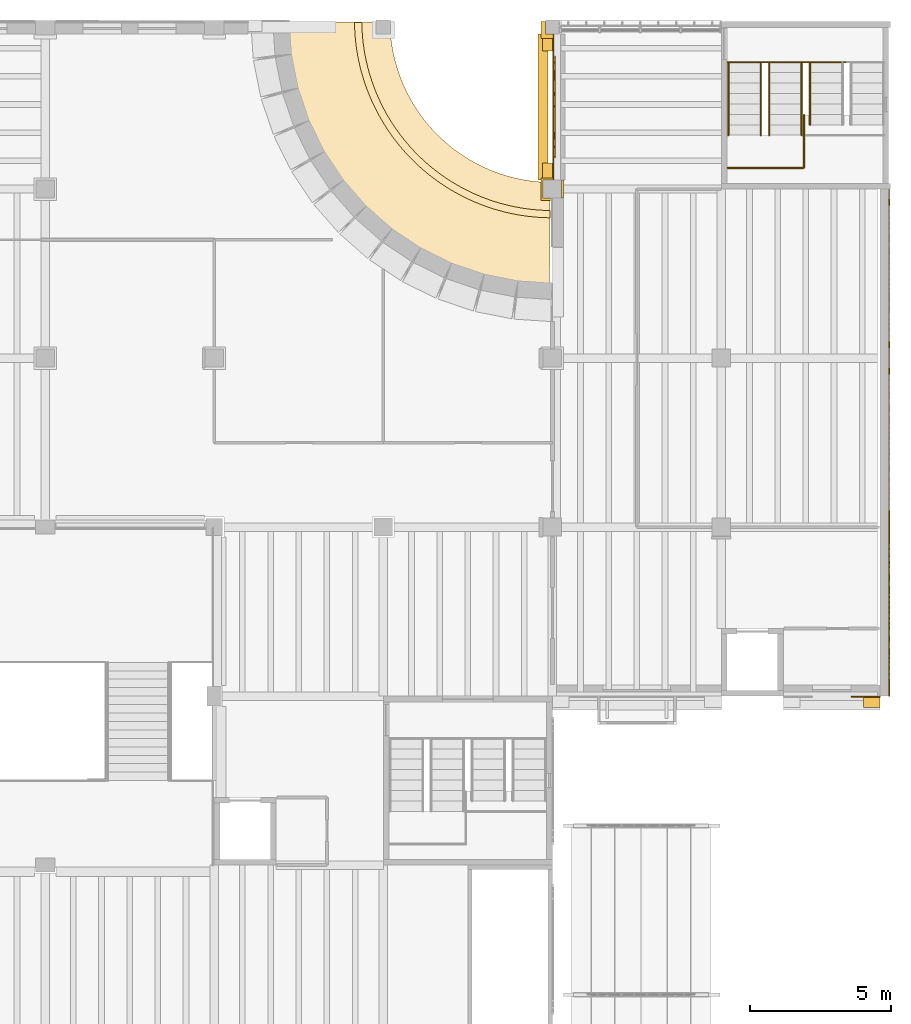
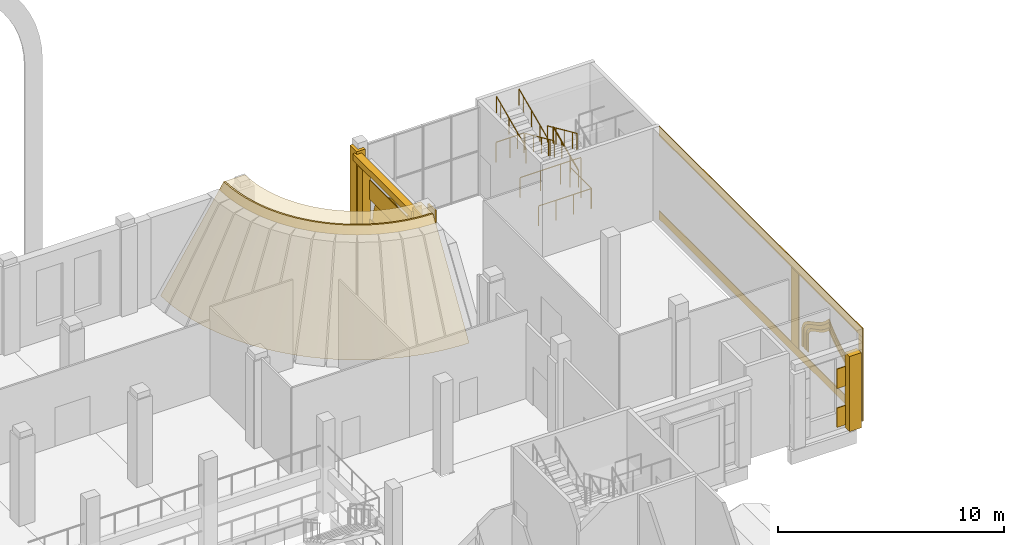
# One storey, part 79 of 80: 21 coverings, 9 railings.
"""IFC4 building model written with IfcOpenShell, lengths in metres."""

from ifc_helpers import new_model, entity, si_unit, direction, frame, origin, origin_2d, place, context, subcontext, project, spatial, polyline, rectangle, circle, outline, extrude, material, layer, layer_set, type_object, element, save


model = new_model("IFC4")

# Units and contexts
model_context = context("Model", 3, precision=1e-05, world=origin(), true_north=direction((0.0, 1.0)))
body_context = subcontext(model_context, "Body", "Model", "MODEL_VIEW")
ifc_project = project(units=[si_unit("LENGTHUNIT", "METRE"), si_unit("AREAUNIT", "SQUARE_METRE"), si_unit("VOLUMEUNIT", "CUBIC_METRE"), si_unit("PLANEANGLEUNIT", "RADIAN"), si_unit("MASSUNIT", "GRAM", prefix="KILO")], contexts=[model_context])

# Site, building, storey
site_placement = place(None, origin())
site = spatial("IfcSite", under=ifc_project, at=site_placement, CompositionType="ELEMENT")
building_placement = place(site_placement, origin())
building = spatial("IfcBuilding", under=site, at=building_placement, Name="Saffron Lane Theatres", CompositionType="ELEMENT")
storey_placement = place(building_placement, frame((0.0, 0.0, 7.0)))
storey = spatial("IfcBuildingStorey", under=building, at=storey_placement, Name="L01", CompositionType="ELEMENT", Elevation=7.0)

# Coverings
ifc_material_1 = material(Name="Masonry pale clay brick", Category="masonry")
ifc_layer_1 = layer(ifc_material_1, 0.050048828125)
ifc_layer_set_1 = layer_set([ifc_layer_1], Name="Masonry pale clay brick")
covering_type_1 = type_object("IfcCoveringType", Name="EX-ARCH PANEL BRICK 50", PredefinedType="CLADDING", material=ifc_layer_set_1)
covering_1_placement = place(storey_placement, frame((54.10009765625, 121.112060546875, 1.199951171875), z_axis=(1.0, 0.0, 0.0), x_axis=(0.0, 0.0, -1.0)))
element("IfcCovering", 1, at=covering_1_placement, inside=storey, type_object=covering_type_1, Name="Blind arch panel 2", PredefinedType="CLADDING", context=body_context, shape_type="SweptSolid", body=[
    extrude(outline(polyline([(0.0, 0.0), (0.89990234375, 0.0), (0.89990234375, 3.599853515625), (0.0, 3.599853515625), (-0.31005859375, 3.578857421875), (-0.614990234375, 3.516845703125), (-0.907958984375, 3.413818359375), (-1.18505859375, 3.27197265625), (-1.441162109375, 3.094970703125), (-1.670166015625, 2.885009765625), (-1.869140625, 2.64599609375), (-2.033935546875, 2.3818359375), (-2.1611328125, 2.097900390625), (-2.25, 1.800048828125), (-2.1611328125, 1.501953125), (-2.033935546875, 1.218994140625), (-1.869140625, 0.954833984375), (-1.670166015625, 0.7158203125), (-1.441162109375, 0.505859375), (-1.18505859375, 0.327880859375), (-0.907958984375, 0.18701171875), (-0.614990234375, 0.083984375), (-0.31005859375, 0.02099609375), (0.0, 0.0)])), origin(), (0.0, 0.0, -1.0), 0.050048828125),
])
ifc_material_2 = material(Name="Face brick cladding, pale buff", Category="masonry")
ifc_layer_2 = layer(ifc_material_2, 0.0400390625)
ifc_layer_set_2 = layer_set([ifc_layer_2], Name="Face brick cladding, pale buff")
covering_type_2 = type_object("IfcCoveringType", Name="EX-FACE BRICK CLADDING PALE BUFF 40", PredefinedType="CLADDING", material=ifc_layer_set_2)
for number, where, z_axis, x_axis, name in (
    (2, (54.030029296875, 122.912109375, 0.14990234375), (0.0, 0.0, 1.0), (0.0, 1.0, 0.0), "Cladding course L01"),
    (3, (54.030029296875, 122.912109375, 2.25), (0.0, 0.0, 1.0), (0.0, 1.0, 0.0), "Cladding course L01"),
):
    element("IfcCovering", number, at=place(storey_placement, frame(where, z_axis=z_axis, x_axis=x_axis)), inside=storey, type_object=covering_type_2, Name=name, PredefinedType="CLADDING", context=body_context, shape_type="SweptSolid", body=[
        extrude(rectangle(XDim=5.175048828125, YDim=0.0400390625, at=origin_2d()), origin(), (0.0, 0.0, 1.0), 1.050048828125),
    ])
for number, where, z_axis, x_axis, name in (
    (4, (65.126953125, 101.97998046875, 0.14990234375), (0.0, 0.0, 1.0), (-1.0, 0.0, 0.0), "Cladding course L01"),
    (5, (65.126953125, 101.97998046875, 2.25), (0.0, 0.0, 1.0), (-1.0, 0.0, 0.0), "Cladding course L01"),
):
    element("IfcCovering", number, at=place(storey_placement, frame(where, z_axis=z_axis, x_axis=x_axis)), inside=storey, type_object=covering_type_2, Name=name, PredefinedType="CLADDING", context=body_context, shape_type="SweptSolid", body=[
        extrude(rectangle(XDim=1.02490234375, YDim=0.0400390625, at=origin_2d()), origin(), (0.0, 0.0, 1.0), 1.050048828125),
    ])
ifc_material_3 = material(Name="Face brick cladding, pale buff", Category="masonry")
ifc_layer_3 = layer(ifc_material_3, 0.0400390625)
ifc_layer_set_3 = layer_set([ifc_layer_3], Name="Face brick cladding, pale buff")
covering_type_3 = type_object("IfcCoveringType", Name="EX-FACE BRICK SKIN PALE BUFF 40", PredefinedType="CLADDING", material=ifc_layer_set_3)
covering_2_placement = place(storey_placement, frame((65.9599609375, 111.0, 0.0), z_axis=(0.0, 0.0, 1.0), x_axis=(0.0, 1.0, 0.0)))
element("IfcCovering", 6, at=covering_2_placement, inside=storey, type_object=covering_type_3, Name="Face brick cladding, pale buff L01", PredefinedType="CLADDING", context=body_context, shape_type="SweptSolid", body=[
    extrude(rectangle(XDim=18.0, YDim=0.0400390625, at=origin_2d()), origin(), (0.0, 0.0, 1.0), 0.449951171875),
])
covering_3_placement = place(storey_placement, frame((65.9599609375, 111.0, 4.5), z_axis=(0.0, 0.0, 1.0), x_axis=(0.0, 1.0, 0.0)))
element("IfcCovering", 7, at=covering_3_placement, inside=storey, type_object=covering_type_3, Name="Face brick cladding, pale buff L01", PredefinedType="CLADDING", context=body_context, shape_type="SweptSolid", body=[
    extrude(rectangle(XDim=18.0, YDim=0.0400390625, at=origin_2d()), origin(), (0.0, 0.0, 1.0), 0.5),
])
covering_4_placement = place(storey_placement, frame((65.9599609375, 102.175048828125, 0.4501953125), z_axis=(0.0, 0.0, 1.0), x_axis=(0.0, 1.0, 0.0)))
element("IfcCovering", 8, at=covering_4_placement, inside=storey, type_object=covering_type_3, Name="Face brick cladding, pale buff L01", PredefinedType="CLADDING", context=body_context, shape_type="SweptSolid", body=[
    extrude(rectangle(XDim=0.35009765625, YDim=0.0400390625, at=origin_2d()), origin(), (0.0, 0.0, 1.0), 4.050048828125),
])
covering_5_placement = place(storey_placement, frame((65.9599609375, 108.0, 0.4501953125), z_axis=(0.0, 0.0, 1.0), x_axis=(0.0, 1.0, 0.0)))
element("IfcCovering", 9, at=covering_5_placement, inside=storey, type_object=covering_type_3, Name="Face brick cladding, pale buff L01", PredefinedType="CLADDING", context=body_context, shape_type="SweptSolid", body=[
    extrude(rectangle(XDim=0.699951171875, YDim=0.0400390625, at=origin_2d()), origin(), (0.0, 0.0, 1.0), 4.050048828125),
])
ifc_material_4 = material(Name="Face brick cladding, pale buff", Category="masonry")
ifc_layer_4 = layer(ifc_material_4, 0.0400390625)
ifc_layer_set_4 = layer_set([ifc_layer_4], Name="Face brick cladding, pale buff")
covering_type_4 = type_object("IfcCoveringType", Name="EX-NICHE FRAME RING FACE BRICK PALE BUFF", PredefinedType="CLADDING", material=ifc_layer_set_4)
covering_6_placement = place(storey_placement, frame((65.93994140625, 103.06005859375, 1.653076171875), z_axis=(-1.0, 0.0, 0.0), x_axis=(0.0, 0.099876874266, 0.994999804013)))
element("IfcCovering", 10, at=covering_6_placement, inside=storey, type_object=covering_type_4, Name="Court wall niche ring", PredefinedType="CLADDING", context=body_context, shape_type="SweptSolid", body=[
    extrude(outline(polyline([(0.0, 0.0), (0.12955404561894843, 0.0), (0.2497165696687542, 0.02621556314756866), (0.35832475713464534, 0.0766554825965173), (0.4560332954801446, 0.14806426397447273), (0.545415847158482, 0.23674842101498333), (0.629993370116488, 0.33867401156754484), (0.7107863118552822, 0.45422933937018484), (0.7928219175708685, 0.5797199980054137), (0.8766094908627686, 0.7128865565994715), (0.966084517720423, 0.8538247108603083), (1.0620958374763683, 0.9987687426649909), (1.1672911847423917, 1.1472075081119215), (1.284900749737322, 1.2970991920478225), (1.4163567475517749, 1.4456009878408547), (1.5628006255483649, 1.5918622158564055), (1.7737061445861615, 1.7716477667142003), (1.602741621653962, 1.9897649695121649), (1.48828955494586, 2.162214616219664), (1.3889716724349337, 2.3338812143938426), (1.3035002227435304, 2.5041579244251517), (1.2299065427258913, 2.670543315716844), (1.1646190661280977, 2.831678325185822), (1.104941290333349, 2.9875882569856316), (1.0492928559339147, 3.134751233018403), (0.9938358129503803, 3.274043237072293), (0.9376219457381072, 3.403351142288582), (0.8749900250359238, 3.520053438360064), (0.8050171393527361, 3.6247335010448185), (0.7234508106665197, 3.7141376762725486), (0.6270346244538634, 3.785157693836958), (0.5144799091860761, 3.8347331313857245), (0.38751056783281335, 3.860482638032556), (-0.46125147201652905, 3.94568034279016), (-0.47322401724720553, 3.826406684643043), (0.369465025751469, 3.7418185799481005), (0.4779246088247263, 3.7198900004864806), (0.5665061690245021, 3.6808180870362555), (0.6429831423196513, 3.6238225515172187), (0.711121246833107, 3.549752233261906), (0.7722082339425219, 3.4592139718798656), (0.8297903657482713, 3.3508703278373937), (0.8836987945348853, 3.227928027501851), (0.9375050865562837, 3.0917461339563324), (0.9929106010816914, 2.9446075419260676), (1.0527337607404408, 2.787701546627645), (1.1194046844238374, 2.623237890778774), (1.1948188832701196, 2.452989245354123), (1.2836649868933148, 2.2772210739281493), (1.3855312277039264, 2.099164486870719), (1.5061998348246213, 1.9202020111163973), (1.6085206302479953, 1.7882288884185995), (1.4820109043382035, 1.679225496081896), (1.32818005380871, 1.527816943159885), (1.1929564975692482, 1.3735591425487692), (1.0709481505372547, 1.2189562852984104), (0.9632007643673937, 1.0670931777636374), (0.8651720134606774, 0.9191618756141529), (0.7753565307189705, 0.7772764258597157), (0.691811877301097, 0.6440854832631513), (0.6120122386078021, 0.5213147910961914), (0.5347439354199902, 0.41153985211414157), (0.45689869753136475, 0.31801708084041325), (0.37891359668496644, 0.24021186952193999), (0.2974130587979655, 0.18116209681061266), (0.21113371649521562, 0.14050384297091023), (0.11655369167884827, 0.11981746741056327), (0.0058995483800086505, 0.11988325820977884), (-0.8367894946186659, 0.20447136290472157), (-0.8487620398493424, 0.08519770475760445), (0.0, 0.0)])), origin(), (0.0, 0.0, -1.0), 0.0400390625),
])
covering_7_placement = place(storey_placement, frame((65.93994140625, 102.800048828125, 1.655029296875), z_axis=(-1.0, 0.0, 0.0), x_axis=(0.0, 0.097602498656, 0.995225478098)))
element("IfcCovering", 11, at=covering_7_placement, inside=storey, type_object=covering_type_4, Name="Court wall niche ring", PredefinedType="CLADDING", context=body_context, shape_type="SweptSolid", body=[
    extrude(outline(polyline([(0.0, 0.0), (0.15258398432499873, 1.734723475976807e-18), (0.29645993322143693, 0.031272675590742816), (0.42680155125957014, 0.0896304195681118), (0.5423986512082086, 0.17273879716981205), (0.6477579890667828, 0.27402303070438017), (0.7455808058629483, 0.39101040061938547), (0.8397117312704844, 0.5203801187765632), (0.9321183937863253, 0.662184530265965), (1.0282032754657822, 0.8114781959827291), (1.1289621049248337, 0.9684087759570008), (1.2382156831022364, 1.1294125070802765), (1.357688663524685, 1.2945655631776314), (1.4896486823694093, 1.459475253669747), (1.6372544142495142, 1.6238318050013187), (1.8037168788681561, 1.7853578151201082), (2.0688627291888095, 2.007610379858595), (1.8519462385555683, 2.2771391548835567), (1.7200354397208926, 2.467926851611112), (1.6071720035049413, 2.657827806887796), (1.5097636504441834, 2.8452318232420244), (1.4246517059255135, 3.030448674229103), (1.3487583567809058, 3.209609901440229), (1.2804066069537123, 3.3831252809908046), (1.215251423334661, 3.549213126644078), (1.1520587899575392, 3.7052960286675165), (1.0848543351264734, 3.850488026880248), (1.0116227728744827, 3.9842508262517446), (0.9279475838872251, 4.104073815634537), (0.8306986099066238, 4.2080561651167585), (0.7142968018571942, 4.2918387787291215), (0.5791183412443062, 4.349251967275562), (0.4294414625921653, 4.378894913644702), (-0.42145688318431607, 4.462343143696736), (-0.44097261716850117, 4.263346643071111), (0.399963754828187, 4.180875391155038), (0.519311732050513, 4.157150565041714), (0.615662245530231, 4.116546791196799), (0.6983006892264692, 4.056190949192467), (0.77276314236467, 3.977502606620111), (0.8416270146773671, 3.8792477475135207), (0.9062786697809234, 3.7605544745518387), (0.9683618997569547, 3.6256771935242464), (1.0300158218675641, 3.473915495875056), (1.0941467605156083, 3.3098905936588103), (1.1635227553138088, 3.134312270671207), (1.2418314006657907, 2.949762624264784), (1.3294348152169098, 2.757432700555713), (1.432764804248489, 2.56037140572199), (1.5516975364654069, 2.3598174433498347), (1.691526116122866, 2.157214209765664), (1.7901704383248391, 2.0349419389304635), (1.669651337371362, 1.934163187086392), (1.4932218207179218, 1.7635568663836765), (1.337497521624836, 1.5889574747070354), (1.1978525404175568, 1.415724914896738), (1.0745536808013472, 1.2440783331879997), (0.9618839995455866, 1.0782580725099888), (0.8597196653551532, 0.9195028364489235), (0.7649449734669844, 0.7710619269379977), (0.6750778290886398, 0.6351412598243799), (0.5878791123979186, 0.5139229222202154), (0.501400336012905, 0.4100511224431035), (0.4147602273727329, 0.32704665375150543), (0.3264294504508987, 0.26432356364484505), (0.23363996563468137, 0.2211720683274247), (0.13123695345901337, 0.20006019973167052), (0.009553760204391889, 0.19997347876158528), (-0.8313826117922963, 0.2824447306776592), (-0.8508983457764814, 0.08344823005203435), (0.0, 0.0)])), origin(), (0.0, 0.0, -1.0), 0.0400390625),
])
covering_8_placement = place(storey_placement, frame((65.93994140625, 102.60009765625, 1.653076171875), z_axis=(-1.0, 0.0, 0.0), x_axis=(0.0, 0.095154505176, 0.99546251569)))
element("IfcCovering", 12, at=covering_8_placement, inside=storey, type_object=covering_type_4, Name="Court wall niche ring", PredefinedType="CLADDING", context=body_context, shape_type="SweptSolid", body=[
    extrude(outline(polyline([(0.0, 0.0), (0.16677235193015855, 0.0), (0.32047811465792414, 0.032641454919435056), (0.4590908231729695, 0.0946845225504361), (0.5839400100746629, 0.18207805987853046), (0.6988087674501847, 0.29078164592633693), (0.8063811785848192, 0.41808617932202474), (0.9105332598872079, 0.5609233704511917), (1.0145852688434076, 0.715542293337932), (1.1229582587475542, 0.8820108542171596), (1.235986399755671, 1.0561278015551183), (1.3596293574845506, 1.2360971941389518), (1.4949396785753588, 1.4201016466816205), (1.6451107430752343, 1.605628628491308), (1.814574326315404, 1.7902924863151148), (2.003537721012975, 1.9711303639033744), (2.2729968091763255, 2.193569745407349), (2.0505574276723513, 2.4630288335707), (1.899274845327305, 2.6763902236703863), (1.7678637717255044, 2.889814158986441), (1.6555593682210754, 3.100430707590657), (1.5575581621969465, 3.3067369972840184), (1.4702486141594036, 3.506870967624936), (1.3923458666636273, 3.700219675493003), (1.317379170324789, 3.8832323396046915), (1.2446194266206547, 4.055978653201097), (1.169297116051609, 4.2147452174361355), (1.0877899770868467, 4.36012353135603), (0.995594754147862, 4.488619997875076), (0.8895627423420656, 4.598083061550211), (0.7653068414927785, 4.68623428949945), (0.6204753514645593, 4.7464313797445), (0.45672303998189034, 4.778025649041314), (-0.39243370558018253, 4.859195043837689), (-0.40574511462950213, 4.719937226090961), (0.4373358099139526, 4.639348608303719), (0.5794010143725186, 4.6117893989657395), (0.6963212548449152, 4.562353659948372), (0.797934000362758, 4.491327312240725), (0.8884637335401684, 4.39928755883957), (0.9690326942594091, 4.285146112980101), (1.0446873879782967, 4.150382615780968), (1.1174078175464282, 3.997750843768552), (1.1885949958104496, 3.8290789042669844), (1.2617335848251565, 3.6474672530019423), (1.3414876707254295, 3.4529605651279733), (1.4296174546004858, 3.2485788810925684), (1.5307995316284795, 3.0370634683788333), (1.6466547164164358, 2.819976170389789), (1.7812806141395585, 2.5991325854062923), (1.938844523214147, 2.3770774102314363), (2.075897175332353, 2.2124101515836108), (1.9101309078826303, 2.076688819070955), (1.7133529351514076, 1.8885045590687133), (1.5393271251287282, 1.6971644461491542), (1.3844437253270598, 1.505956571687059), (1.2450232900177747, 1.3174399285349754), (1.1197702397189615, 1.1334551330603078), (1.004611987341964, 0.9575797716393137), (0.8983923398870634, 0.7931126576838663), (0.7965401355408397, 0.6409812474023956), (0.6962211824987262, 0.5048900046100767), (0.5964061651999217, 0.3868993474346942), (0.4957655510450578, 0.29106041889072065), (0.389345758897779, 0.21686570922248327), (0.27611747319728386, 0.1663756365577664), (0.15194913565091217, 0.13998512926278028), (0.00723558803070144, 0.13983859475586066), (-0.8358453365127533, 0.22042721254310266), (-0.8491567455620729, 0.08116939479637461), (0.0, 0.0)])), origin(), (0.0, 0.0, -1.0), 0.0400390625),
])
ifc_material_5 = material(Name="Face brick cladding, pale buff", Category="masonry")
ifc_layer_5 = layer(ifc_material_5, 0.10009765625)
ifc_layer_set_5 = layer_set([ifc_layer_5], Name="Face brick cladding, pale buff")
covering_type_5 = type_object("IfcCoveringType", Name="EX-PIER CASING FACE BRICK PALE BUFF 800", PredefinedType="CLADDING", material=ifc_layer_set_5)
covering_9_placement = place(storey_placement, origin())
element("IfcCovering", 13, at=covering_9_placement, inside=storey, type_object=covering_type_5, Name="Pier casing L01 33", PredefinedType="CLADDING", context=body_context, shape_type="SweptSolid", body=[
    extrude(outline(polyline([(54.0458984375, 120.39990234375), (53.60009765625, 120.39990234375), (53.60009765625, 119.60009765625), (53.995849609375, 119.60009765625), (53.995849609375, 119.675048828125), (53.675048828125, 119.675048828125), (53.675048828125, 120.324951171875), (54.0458984375, 120.324951171875), (54.0458984375, 120.39990234375)])), origin(), (0.0, 0.0, 1.0), 4.699951171875),
])
covering_10_placement = place(storey_placement, origin())
element("IfcCovering", 14, at=covering_10_placement, inside=storey, type_object=covering_type_5, Name="Pier casing L01 34", PredefinedType="CLADDING", context=body_context, shape_type="SweptSolid", body=[
    extrude(outline(polyline([(54.39990234375, 119.678955078125), (54.39990234375, 120.321044921875), (54.324951171875, 120.321044921875), (54.324951171875, 119.678955078125), (54.39990234375, 119.678955078125), (54.39990234375, 119.678955078125)])), origin(), (0.0, 0.0, 1.0), 4.699951171875),
])
covering_11_placement = place(storey_placement, origin())
element("IfcCovering", 15, at=covering_11_placement, inside=storey, type_object=covering_type_5, Name="Pier casing L01 42", PredefinedType="CLADDING", context=body_context, shape_type="SweptSolid", body=[
    extrude(outline(polyline([(53.60009765625, 125.93994140625), (53.60009765625, 125.349609375), (54.0458984375, 125.349609375), (54.0458984375, 125.49951171875), (53.75, 125.49951171875), (53.75, 125.93994140625), (53.60009765625, 125.93994140625)])), origin(), (0.0, 0.0, 1.0), 4.699951171875),
])
ifc_material_6 = material(Name="Masonry sandstone", Category="masonry")
ifc_layer_6 = layer(ifc_material_6, 0.39990234375)
ifc_layer_set_6 = layer_set([ifc_layer_6], Name="Masonry sandstone")
covering_type_6 = type_object("IfcCoveringType", Name="EX-PILASTER PIER SANDSTONE 400", PredefinedType="CLADDING", material=ifc_layer_set_6)
for number, where, z_axis, x_axis, name in (
    (16, (53.85009765625, 120.625, 0.0), (0.0, 0.0, 1.0), (0.0, 1.0, 0.0), "Pilaster pier L01"),
    (17, (53.85009765625, 125.199951171875, 0.0), (0.0, 0.0, 1.0), (0.0, 1.0, 0.0), "Pilaster pier L01"),
):
    element("IfcCovering", number, at=place(storey_placement, frame(where, z_axis=z_axis, x_axis=x_axis)), inside=storey, type_object=covering_type_6, Name=name, PredefinedType="CLADDING", context=body_context, shape_type="SweptSolid", body=[
        extrude(rectangle(XDim=0.60009765625, YDim=0.39990234375, at=origin_2d()), origin(), (0.0, 0.0, 1.0), 3.949951171875),
    ])
covering_12_placement = place(storey_placement, frame((65.340087890625, 101.800048828125, 0.0), z_axis=(0.0, 0.0, 1.0), x_axis=(-1.0, 0.0, 0.0)))
element("IfcCovering", 18, at=covering_12_placement, inside=storey, type_object=covering_type_6, Name="Pilaster pier L01", PredefinedType="CLADDING", context=body_context, shape_type="SweptSolid", body=[
    extrude(rectangle(XDim=0.60009765625, YDim=0.39990234375, at=origin_2d()), origin(), (0.0, 0.0, 1.0), 4.050048828125),
])
ifc_material_7 = material(Name="Face brick cladding, pale buff", Category="masonry")
ifc_layer_7 = layer(ifc_material_7, 0.080078125)
ifc_layer_set_7 = layer_set([ifc_layer_7], Name="Face brick cladding, pale buff")
covering_type_7 = type_object("IfcCoveringType", Name="EX-SCOOP SKIN FACE BRICK PALE BUFF 80", PredefinedType="CLADDING", material=ifc_layer_set_7)
covering_13_placement = place(storey_placement, frame((54.0, 125.99951171875, -7.0), z_axis=(0.0, 0.0, 1.0), x_axis=(-0.999946, -0.010352, 0.0)))
cartesian_point_1 = entity("IfcCartesianPoint", [10.0078125, 7.0])
cartesian_point_2 = entity("IfcCartesianPoint", [0.0, 0.0, 0.0])
element("IfcCovering", 19, at=covering_13_placement, inside=storey, type_object=covering_type_7, Name="Scoop skin NE L01", PredefinedType="CLADDING", context=body_context, shape_type="SweptSolid", body=[
    entity("IfcRevolvedAreaSolid", entity("IfcArbitraryClosedProfileDef", "AREA", None, entity("IfcPolyline", [cartesian_point_1, entity("IfcCartesianPoint", [10.087890625, 7.0]), entity("IfcCartesianPoint", [6.84228515625, 12.0]), entity("IfcCartesianPoint", [6.76220703125, 12.0]), cartesian_point_1])), entity("IfcAxis2Placement3D", cartesian_point_2, entity("IfcDirection", [0.0, -1.0, 0.0]), entity("IfcDirection", [1.0, 0.0, 0.0])), entity("IfcAxis1Placement", cartesian_point_2, entity("IfcDirection", [0.0, 1.0, 0.0])), 1.550093),
])
ifc_material_8 = material(Name="Masonry sandstone", Category="masonry")
ifc_layer_8 = layer(ifc_material_8, 0.39990234375)
ifc_layer_set_8 = layer_set([ifc_layer_8], Name="Masonry sandstone")
covering_type_8 = type_object("IfcCoveringType", Name="EX-SCOOP STEP SANDSTONE 700", PredefinedType="CLADDING", material=ifc_layer_set_8)
covering_14_placement = place(storey_placement, frame((54.0, 125.99951171875, -7.0), z_axis=(0.0, 0.0, 1.0), x_axis=(-0.999926, -0.012148, 0.0)))
cartesian_point_3 = entity("IfcCartesianPoint", [5.76220703125, 11.60009765625])
cartesian_point_4 = entity("IfcCartesianPoint", [0.0, 0.0, 0.0])
element("IfcCovering", 20, at=covering_14_placement, inside=storey, type_object=covering_type_8, Name="Floor step NE L02", PredefinedType="CLADDING", context=body_context, shape_type="SweptSolid", body=[
    entity("IfcRevolvedAreaSolid", entity("IfcArbitraryClosedProfileDef", "AREA", None, entity("IfcPolyline", [cartesian_point_3, entity("IfcCartesianPoint", [7.021728515625, 11.60009765625]), entity("IfcCartesianPoint", [6.76220703125, 12.0]), entity("IfcCartesianPoint", [5.76220703125, 12.0]), cartesian_point_3])), entity("IfcAxis2Placement3D", cartesian_point_4, entity("IfcDirection", [0.0, -1.0, 0.0]), entity("IfcDirection", [1.0, 0.0, 0.0])), entity("IfcAxis1Placement", cartesian_point_4, entity("IfcDirection", [0.0, 1.0, 0.0])), 1.546499),
])
ifc_material_9 = material(Name="Masonry sandstone", Category="masonry")
ifc_layer_9 = layer(ifc_material_9, 0.300048828125)
ifc_layer_set_9 = layer_set([ifc_layer_9], Name="Masonry sandstone")
covering_type_9 = type_object("IfcCoveringType", Name="EX-STRING COURSE SANDSTONE 350", PredefinedType="CLADDING", material=ifc_layer_set_9)
covering_15_placement = place(storey_placement, frame((53.675048828125, 122.912109375, 4.199951171875), z_axis=(0.0, 0.0, 1.0), x_axis=(0.0, 1.0, 0.0)))
element("IfcCovering", 21, at=covering_15_placement, inside=storey, type_object=covering_type_9, Name="String course L01", PredefinedType="CLADDING", context=body_context, shape_type="SweptSolid", body=[
    extrude(rectangle(XDim=5.174072265625, YDim=0.35009765625, at=origin_2d()), origin(), (0.0, 0.0, 1.0), 0.35009765625),
])

# Railings
ifc_material_10 = material(Name="Steel Grade 350", Category="steel")
railing_type_1 = type_object("IfcRailingType", Name="VC-GUARD 1100", PredefinedType="GUARDRAIL", material=ifc_material_10)
railing_1_placement = place(storey_placement, frame((62.89990234375, 120.75, 1.166748046875)))
element("IfcRailing", 22, at=railing_1_placement, inside=storey, type_object=railing_type_1, Name="East Wing Street Stair landing guard 2N1s", PredefinedType="GUARDRAIL", context=body_context, shape_type="SweptSolid", body=[
    extrude(circle(Radius=0.02392578125, at=origin_2d()), frame((0.0, 0.0, 1.076171875), z_axis=(-1.0, 0.0, 0.0), x_axis=(0.0, -1.0, 0.0)), (0.0, 0.0, 1.0), 2.669921875),
    extrude(circle(Radius=0.02099609375, at=origin_2d()), origin(), (0.0, 0.0, 1.0), 1.052001953125),
    extrude(circle(Radius=0.02099609375, at=origin_2d()), frame((-0.889892578125, 0.0, 0.0)), (0.0, 0.0, 1.0), 1.052001953125),
    extrude(circle(Radius=0.02099609375, at=origin_2d()), frame((-1.780029296875, 0.0, 0.0)), (0.0, 0.0, 1.0), 1.052001953125),
    extrude(circle(Radius=0.02099609375, at=origin_2d()), frame((-2.669921875, 0.0, 0.0)), (0.0, 0.0, 1.0), 1.052001953125),
])
railing_2_placement = place(storey_placement, frame((62.929931640625, 122.6298828125, 1.166748046875)))
element("IfcRailing", 23, at=railing_2_placement, inside=storey, type_object=railing_type_1, Name="East Wing Street Stair landing guard 2N1e", PredefinedType="GUARDRAIL", context=body_context, shape_type="SweptSolid", body=[
    extrude(circle(Radius=0.02392578125, at=origin_2d()), frame((0.0, 0.0, 1.076171875), z_axis=(0.0, -1.0, 0.0), x_axis=(1.0, 0.0, 0.0)), (0.0, 0.0, 1.0), 1.8798828125),
    extrude(circle(Radius=0.02099609375, at=origin_2d()), origin(), (0.0, 0.0, 1.0), 1.052001953125),
    extrude(circle(Radius=0.02099609375, at=origin_2d()), frame((0.0, -0.93994140625, 0.0)), (0.0, 0.0, 1.0), 1.052001953125),
    extrude(circle(Radius=0.02099609375, at=origin_2d()), frame((0.0, -1.8798828125, 0.0)), (0.0, 0.0, 1.0), 1.052001953125),
])
railing_3_placement = place(storey_placement, frame((61.64990234375, 124.5, 2.333251953125)))
element("IfcRailing", 24, at=railing_3_placement, inside=storey, type_object=railing_type_1, Name="East Wing Street Stair landing guard 2S2e", PredefinedType="GUARDRAIL", context=body_context, shape_type="SweptSolid", body=[
    extrude(circle(Radius=0.02392578125, at=origin_2d()), frame((0.0, 0.0, 1.076171875), z_axis=(-1.0, 0.0, 0.0), x_axis=(0.0, -1.0, 0.0)), (0.0, 0.0, 1.0), 1.419921875),
    extrude(circle(Radius=0.02099609375, at=origin_2d()), origin(), (0.0, 0.0, 1.0), 1.052001953125),
    extrude(circle(Radius=0.02099609375, at=origin_2d()), frame((-0.7099609375, 0.0, 0.0)), (0.0, 0.0, 1.0), 1.052001953125),
    extrude(circle(Radius=0.02099609375, at=origin_2d()), frame((-1.419921875, 0.0, 0.0)), (0.0, 0.0, 1.0), 1.052001953125),
])
railing_4_placement = place(storey_placement, frame((64.550048828125, 124.5, 0.0)))
element("IfcRailing", 25, at=railing_4_placement, inside=storey, type_object=railing_type_1, Name="East Wing Street Stair guard L01", PredefinedType="GUARDRAIL", context=body_context, shape_type="SweptSolid", body=[
    extrude(circle(Radius=0.02392578125, at=origin_2d()), frame((0.0, 0.0, 1.076171875), z_axis=(-1.0, 0.0, 0.0), x_axis=(0.0, -1.0, 0.0)), (0.0, 0.0, 1.0), 3.10009765625),
    extrude(circle(Radius=0.02099609375, at=origin_2d()), origin(), (0.0, 0.0, 1.0), 1.052001953125),
    extrude(circle(Radius=0.02099609375, at=origin_2d()), frame((-1.033447265625, 0.0, 0.0)), (0.0, 0.0, 1.0), 1.052001953125),
    extrude(circle(Radius=0.02099609375, at=origin_2d()), frame((-2.066650390625, 0.0, 0.0)), (0.0, 0.0, 1.0), 1.052001953125),
    extrude(circle(Radius=0.02099609375, at=origin_2d()), frame((-3.10009765625, 0.0, 0.0)), (0.0, 0.0, 1.0), 1.052001953125),
])
ifc_material_11 = material(Name="Steel Grade 350", Category="steel")
railing_type_2 = type_object("IfcRailingType", Name="VC-HANDRAIL 900", PredefinedType="HANDRAIL", material=ifc_material_11)
railing_5_placement = place(storey_placement, frame((63.14990234375, 122.280029296875, 1.333251953125)))
element("IfcRailing", 26, at=railing_5_placement, inside=storey, type_object=railing_type_2, Name="East Wing Street Stair handrail 2.2b", PredefinedType="HANDRAIL", context=body_context, shape_type="SweptSolid", body=[
    extrude(circle(Radius=0.02392578125, at=origin_2d()), frame((0.0, 0.0, 0.8759765625), z_axis=(0.0, 0.911690610408, 0.410877391559), x_axis=(-1.0, 0.0, 0.0)), (0.0, 0.0, 1.0), 0.811767578125),
    extrude(circle(Radius=0.02392578125, at=origin_2d()), frame((0.0, 0.739990234375, 1.20947265625), z_axis=(0.0, 0.911803263409, 0.410627335715), x_axis=(-1.0, 0.0, 0.0)), (0.0, 0.0, 1.0), 0.8115234375),
    extrude(circle(Radius=0.02392578125, at=origin_2d()), frame((0.0, 1.47998046875, 1.54248046875), z_axis=(0.0, 0.911803263409, 0.410627335715), x_axis=(-1.0, 0.0, 0.0)), (0.0, 0.0, 1.0), 0.8115234375),
    extrude(circle(Radius=0.02099609375, at=origin_2d()), origin(), (0.0, 0.0, 1.0), 0.851806640625),
    extrude(circle(Radius=0.02099609375, at=origin_2d()), frame((0.0, 0.739990234375, 0.33349609375)), (0.0, 0.0, 1.0), 0.851806640625),
    extrude(circle(Radius=0.02099609375, at=origin_2d()), frame((0.0, 1.47998046875, 0.666748046875)), (0.0, 0.0, 1.0), 0.851806640625),
    extrude(circle(Radius=0.02099609375, at=origin_2d()), frame((0.0, 2.219970703125, 1.0)), (0.0, 0.0, 1.0), 0.851806640625),
])
for number, where, name in (
    (27, (62.85009765625, 124.5, 2.5), "East Wing Street Stair handrail 2.3a"),
    (28, (61.699951171875, 124.5, 2.5), "East Wing Street Stair handrail 2.3b"),
):
    element("IfcRailing", number, at=place(storey_placement, frame(where)), inside=storey, type_object=railing_type_2, Name=name, PredefinedType="HANDRAIL", context=body_context, shape_type="SweptSolid", body=[
        extrude(circle(Radius=0.02392578125, at=origin_2d()), frame((0.0, 0.0, 0.8759765625), z_axis=(0.0, -0.911803263409, 0.410627335715), x_axis=(1.0, 0.0, 0.0)), (0.0, 0.0, 1.0), 0.8115234375),
        extrude(circle(Radius=0.02392578125, at=origin_2d()), frame((0.0, -0.739990234375, 1.208984375), z_axis=(0.0, -0.911690610408, 0.410877391559), x_axis=(1.0, 0.0, 0.0)), (0.0, 0.0, 1.0), 0.811767578125),
        extrude(circle(Radius=0.02392578125, at=origin_2d()), frame((0.0, -1.47998046875, 1.54248046875), z_axis=(0.0, -0.911803263409, 0.410627335715), x_axis=(1.0, 0.0, 0.0)), (0.0, 0.0, 1.0), 0.8115234375),
        extrude(circle(Radius=0.02392578125, at=origin_2d()), frame((0.0, -2.219970703125, 1.8759765625), z_axis=(0.0, -0.911741368748, 0.410764745947), x_axis=(1.0, 0.0, 0.0)), (0.0, 0.0, 1.0), 0.406005859375),
        extrude(circle(Radius=0.02099609375, at=origin_2d()), origin(), (0.0, 0.0, 1.0), 0.851806640625),
        extrude(circle(Radius=0.02099609375, at=origin_2d()), frame((0.0, -0.739990234375, 0.333251953125)), (0.0, 0.0, 1.0), 0.851806640625),
        extrude(circle(Radius=0.02099609375, at=origin_2d()), frame((0.0, -1.47998046875, 0.666748046875)), (0.0, 0.0, 1.0), 0.851806640625),
        extrude(circle(Radius=0.02099609375, at=origin_2d()), frame((0.0, -2.219970703125, 1.0)), (0.0, 0.0, 1.0), 0.851806640625),
        extrude(circle(Radius=0.02099609375, at=origin_2d()), frame((0.0, -2.590087890625, 1.166748046875)), (0.0, 0.0, 1.0), 0.851806640625),
    ])
for number, where, name in (
    (29, (61.39990234375, 121.909912109375, 3.833251953125), "East Wing Street Stair handrail 2.4a"),
    (30, (60.25, 121.909912109375, 3.833251953125), "East Wing Street Stair handrail 2.4b"),
):
    element("IfcRailing", number, at=place(storey_placement, frame(where)), inside=storey, type_object=railing_type_2, Name=name, PredefinedType="HANDRAIL", context=body_context, shape_type="SweptSolid", body=[
        extrude(circle(Radius=0.02392578125, at=origin_2d()), frame((0.0, 0.0, 0.8759765625), z_axis=(0.0, 0.911690610408, 0.410877391559), x_axis=(-1.0, 0.0, 0.0)), (0.0, 0.0, 1.0), 0.811767578125),
        extrude(circle(Radius=0.02392578125, at=origin_2d()), frame((0.0, 0.739990234375, 1.20947265625), z_axis=(0.0, 0.911803263409, 0.410627335715), x_axis=(-1.0, 0.0, 0.0)), (0.0, 0.0, 1.0), 0.8115234375),
        extrude(circle(Radius=0.02392578125, at=origin_2d()), frame((0.0, 1.47998046875, 1.54248046875), z_axis=(0.0, 0.911803263409, 0.410627335715), x_axis=(-1.0, 0.0, 0.0)), (0.0, 0.0, 1.0), 0.8115234375),
        extrude(circle(Radius=0.02392578125, at=origin_2d()), frame((0.0, 2.219970703125, 1.8759765625), z_axis=(0.0, 0.911741368748, 0.410764745947), x_axis=(-1.0, 0.0, 0.0)), (0.0, 0.0, 1.0), 0.406005859375),
        extrude(circle(Radius=0.02099609375, at=origin_2d()), origin(), (0.0, 0.0, 1.0), 0.851806640625),
        extrude(circle(Radius=0.02099609375, at=origin_2d()), frame((0.0, 0.739990234375, 0.33349609375)), (0.0, 0.0, 1.0), 0.851806640625),
        extrude(circle(Radius=0.02099609375, at=origin_2d()), frame((0.0, 1.47998046875, 0.666748046875)), (0.0, 0.0, 1.0), 0.851806640625),
        extrude(circle(Radius=0.02099609375, at=origin_2d()), frame((0.0, 2.219970703125, 1.0)), (0.0, 0.0, 1.0), 0.851806640625),
        extrude(circle(Radius=0.02099609375, at=origin_2d()), frame((0.0, 2.590087890625, 1.166748046875)), (0.0, 0.0, 1.0), 0.851806640625),
    ])

save(model, "model.ifc")
